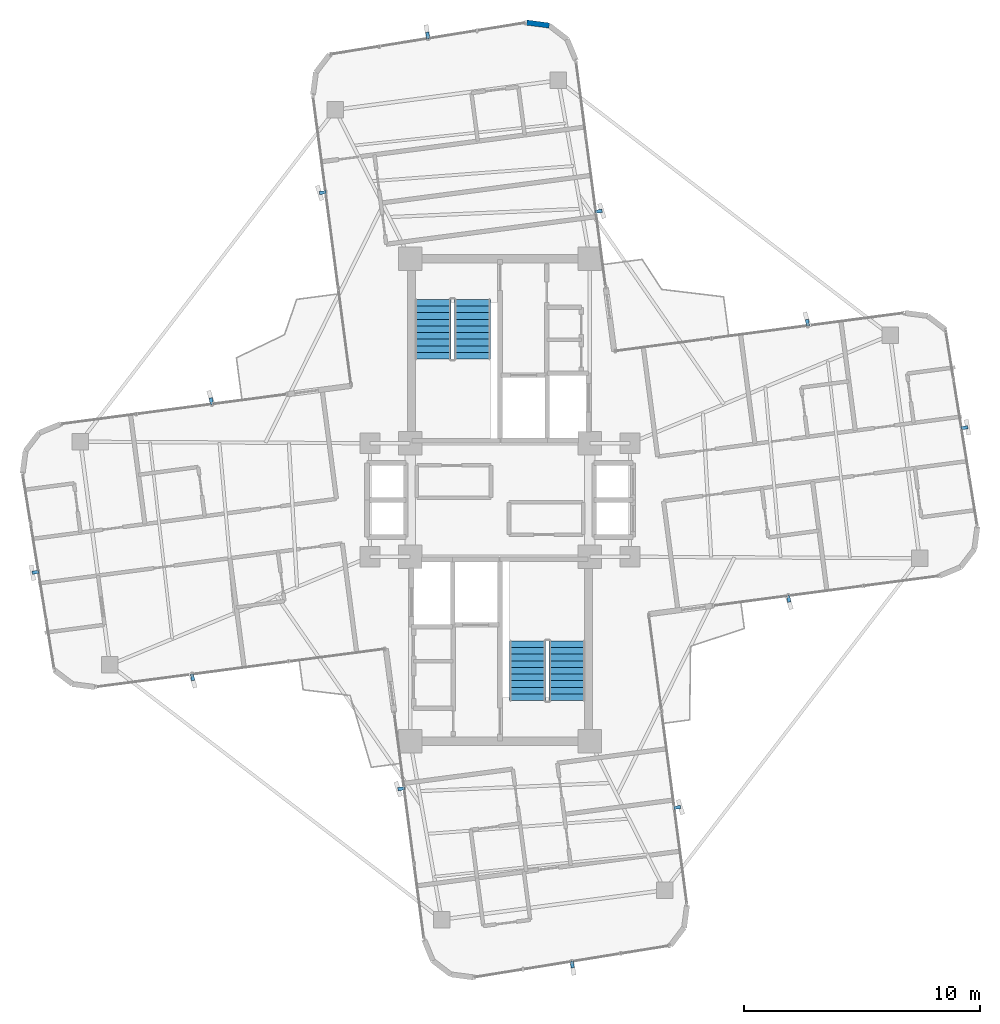
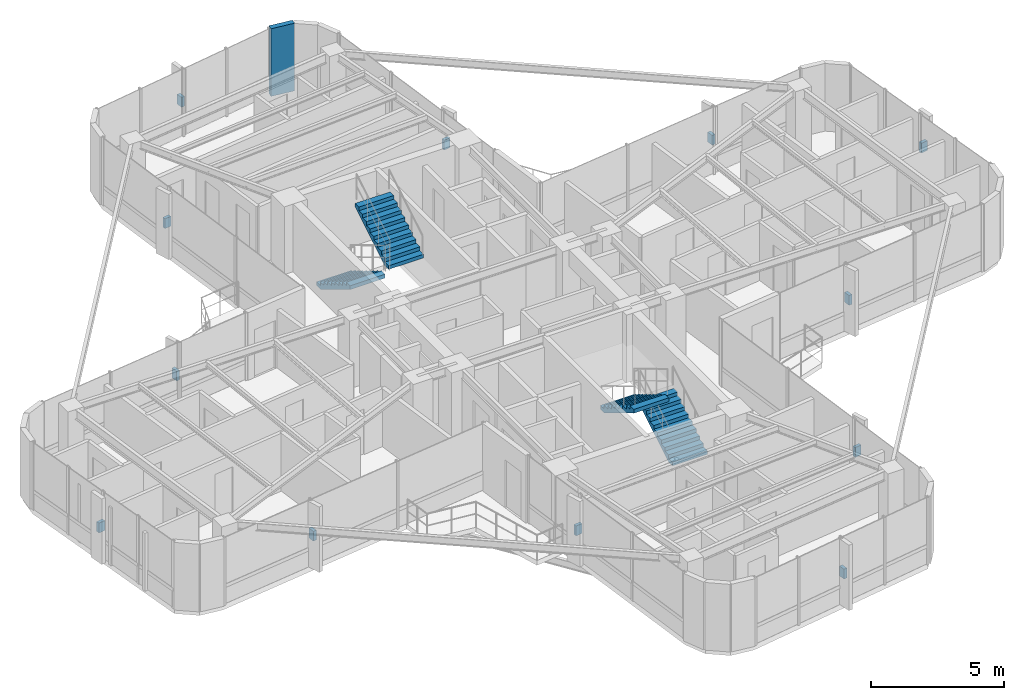
# One storey, part 22 of 23: 12 discrete accessories, 4 stair flights, 1 wall, 2 elements without a shape of their own.
"""IFC4 building model written with IfcOpenShell, lengths in metres."""

from ifc_helpers import new_model, si_unit, direction, frame, frame_2d, origin, origin_2d, place, context, subcontext, project, spatial, polyline, rectangle, outline, extrude, source, transform, mapped, material, layer, layer_set, type_object, element, aggregate, save


model = new_model("IFC4")

# Units and contexts
model_context = context("Model", 3, precision=1e-05, world=origin(), true_north=direction((0.0, 1.0)))
body_context = subcontext(model_context, "Body", "Model", "MODEL_VIEW")
ifc_project = project(units=[si_unit("LENGTHUNIT", "METRE"), si_unit("AREAUNIT", "SQUARE_METRE"), si_unit("VOLUMEUNIT", "CUBIC_METRE"), si_unit("PLANEANGLEUNIT", "RADIAN"), si_unit("MASSUNIT", "GRAM", prefix="KILO")], contexts=[model_context])

# Site, building, storey
site_placement = place(None, origin())
site = spatial("IfcSite", under=ifc_project, at=site_placement, CompositionType="ELEMENT")
building_placement = place(site_placement, origin())
building = spatial("IfcBuilding", under=site, at=building_placement, Name="Sahyath Konkavel Grand Hotel", CompositionType="ELEMENT")
storey_placement = place(building_placement, frame((0.0, 0.0, 251.199951171875)))
storey = spatial("IfcBuildingStorey", under=building, at=storey_placement, Name="L70", CompositionType="ELEMENT", Elevation=251.199951171875)

# Wall
ifc_material_1 = material(Name="Warm Buff Sandstone Insulated Concrete C40/50", Category="masonry")
ifc_layer = layer(ifc_material_1, 0.219970703125)
ifc_layer_set = layer_set([ifc_layer], Name="Warm Buff Sandstone Insulated Concrete C40/50")
wall_type = type_object("IfcWallType", Name="WLL-BALC-THRESH", PredefinedType="STANDARD", material=ifc_layer_set)
wall_placement = place(storey_placement, frame((2.08203125, 20.0625, 0.0), z_axis=(0.0, 0.0, 1.0), x_axis=(-0.991440402921, 0.13056005306, 0.0)))
element("IfcWall", 1, at=wall_placement, inside=storey, type_object=wall_type, Name="L70 Rounded Corner Sandstone Pier 11", PredefinedType="STANDARD", context=body_context, shape_type="SweptSolid", body=[
    extrude(rectangle(XDim=0.95751953125, YDim=0.219970703125, at=frame_2d((0.478759765625, 0.0))), origin(), (0.0, 0.0, 1.0), 3.110107421875),
])

# Stair, stair flights
ifc_material_2 = material(Name="Concrete C40/50", Category="concrete")
stair_type = type_object("IfcStairType", Name="STR-ST16-335", PredefinedType="HALF_TURN_STAIR", material=ifc_material_2)
stair_1_placement = place(storey_placement, origin())
stair_1 = element("IfcStair", 2, at=stair_1_placement, inside=storey, type_object=stair_type, Name="L70 North Core Smokeproof Exit Stair ST-1", PredefinedType="HALF_TURN_STAIR")
stair_flight_type = type_object("IfcStairFlightType", Name="STF-ST16-335", PredefinedType="STRAIGHT", material=ifc_material_2)
stair_flight_1_placement = place(storey_placement, frame((-2.840087890625, 8.47998046875, 0.0), z_axis=(0.0, 0.0, 1.0), x_axis=(0.0, -1.0, 0.0)))
stair_flight_1 = element("IfcStairFlight", 3, at=stair_flight_1_placement, type_object=stair_flight_type, Name="ST-1 flight 1", NumberOfRisers=10, NumberOfTreads=9, PredefinedType="STRAIGHT", RiserHeight=0.1675, TreadLength=0.28, context=body_context, shape_type="SweptSolid", body=[
    extrude(outline(polyline([(0.0, 0.0), (0.0, 0.16748046875), (0.280029296875, 0.16748046875), (0.280029296875, 0.3349609375), (0.56005859375, 0.3349609375), (0.56005859375, 0.50244140625), (0.840087890625, 0.50244140625), (0.840087890625, 0.669921875), (1.1201171875, 0.669921875), (1.1201171875, 0.83740234375), (1.39990234375, 0.83740234375), (1.39990234375, 1.0048828125), (1.679931640625, 1.0048828125), (1.679931640625, 1.172607421875), (1.9599609375, 1.172607421875), (1.9599609375, 1.340087890625), (2.239990234375, 1.340087890625), (2.239990234375, 1.507568359375), (2.52001953125, 1.507568359375), (2.52001953125, 1.675048828125), (2.52001953125, 1.332763671875), (0.2919921875, 0.0), (0.0, 0.0)])), frame((0.0, 0.760009765625, 0.0), z_axis=(0.0, -1.0, 0.0), x_axis=(1.0, 0.0, 0.0)), (0.0, 0.0, 1.0), 1.52001953125),
])
stair_flight_2_placement = place(storey_placement, frame((-1.159912109375, 5.9599609375, 1.675048828125), z_axis=(0.0, 0.0, 1.0), x_axis=(0.0, 1.0, 0.0)))
stair_flight_2 = element("IfcStairFlight", 4, at=stair_flight_2_placement, type_object=stair_flight_type, Name="ST-1 flight 2", NumberOfRisers=10, NumberOfTreads=9, PredefinedType="STRAIGHT", RiserHeight=0.1675, TreadLength=0.28, context=body_context, shape_type="SweptSolid", body=[
    extrude(outline(polyline([(0.0, 0.0), (0.0, 0.16748046875), (0.280029296875, 0.16748046875), (0.280029296875, 0.3349609375), (0.56005859375, 0.3349609375), (0.56005859375, 0.50244140625), (0.840087890625, 0.50244140625), (0.840087890625, 0.669921875), (1.1201171875, 0.669921875), (1.1201171875, 0.83740234375), (1.39990234375, 0.83740234375), (1.39990234375, 1.0048828125), (1.679931640625, 1.0048828125), (1.679931640625, 1.172607421875), (1.9599609375, 1.172607421875), (1.9599609375, 1.340087890625), (2.239990234375, 1.340087890625), (2.239990234375, 1.507568359375), (2.52001953125, 1.507568359375), (2.52001953125, 1.675048828125), (2.52001953125, 1.332763671875), (0.2919921875, 0.0), (0.0, 0.0)])), frame((0.0, 0.760009765625, 0.0), z_axis=(0.0, -1.0, 0.0), x_axis=(1.0, 0.0, 0.0)), (0.0, 0.0, 1.0), 1.52001953125),
])
aggregate(stair_1, [stair_flight_1, stair_flight_2])

stair_2_placement = place(storey_placement, origin())
stair_2 = element("IfcStair", 5, at=stair_2_placement, inside=storey, type_object=stair_type, Name="L70 South Core Smokeproof Exit Stair ST-2", PredefinedType="HALF_TURN_STAIR")
stair_flight_3_placement = place(storey_placement, frame((2.840087890625, -8.47998046875, 0.0), z_axis=(0.0, 0.0, 1.0), x_axis=(0.0, 1.0, 0.0)))
stair_flight_3 = element("IfcStairFlight", 6, at=stair_flight_3_placement, type_object=stair_flight_type, Name="ST-2 flight 1", NumberOfRisers=10, NumberOfTreads=9, PredefinedType="STRAIGHT", RiserHeight=0.1675, TreadLength=0.28, context=body_context, shape_type="SweptSolid", body=[
    extrude(outline(polyline([(0.0, 0.0), (0.0, 0.16748046875), (0.280029296875, 0.16748046875), (0.280029296875, 0.3349609375), (0.56005859375, 0.3349609375), (0.56005859375, 0.50244140625), (0.840087890625, 0.50244140625), (0.840087890625, 0.669921875), (1.1201171875, 0.669921875), (1.1201171875, 0.83740234375), (1.39990234375, 0.83740234375), (1.39990234375, 1.0048828125), (1.679931640625, 1.0048828125), (1.679931640625, 1.172607421875), (1.9599609375, 1.172607421875), (1.9599609375, 1.340087890625), (2.239990234375, 1.340087890625), (2.239990234375, 1.507568359375), (2.52001953125, 1.507568359375), (2.52001953125, 1.675048828125), (2.52001953125, 1.332763671875), (0.2919921875, 0.0), (0.0, 0.0)])), frame((0.0, 0.760009765625, 0.0), z_axis=(0.0, -1.0, 0.0), x_axis=(1.0, 0.0, 0.0)), (0.0, 0.0, 1.0), 1.52001953125),
])
stair_flight_4_placement = place(storey_placement, frame((1.159912109375, -5.9599609375, 1.675048828125), z_axis=(0.0, 0.0, 1.0), x_axis=(0.0, -1.0, 0.0)))
stair_flight_4 = element("IfcStairFlight", 7, at=stair_flight_4_placement, type_object=stair_flight_type, Name="ST-2 flight 2", NumberOfRisers=10, NumberOfTreads=9, PredefinedType="STRAIGHT", RiserHeight=0.1675, TreadLength=0.28, context=body_context, shape_type="SweptSolid", body=[
    extrude(outline(polyline([(0.0, 0.0), (0.0, 0.16748046875), (0.280029296875, 0.16748046875), (0.280029296875, 0.3349609375), (0.56005859375, 0.3349609375), (0.56005859375, 0.50244140625), (0.840087890625, 0.50244140625), (0.840087890625, 0.669921875), (1.1201171875, 0.669921875), (1.1201171875, 0.83740234375), (1.39990234375, 0.83740234375), (1.39990234375, 1.0048828125), (1.679931640625, 1.0048828125), (1.679931640625, 1.172607421875), (1.9599609375, 1.172607421875), (1.9599609375, 1.340087890625), (2.239990234375, 1.340087890625), (2.239990234375, 1.507568359375), (2.52001953125, 1.507568359375), (2.52001953125, 1.675048828125), (2.52001953125, 1.332763671875), (0.2919921875, 0.0), (0.0, 0.0)])), frame((0.0, 0.760009765625, 0.0), z_axis=(0.0, -1.0, 0.0), x_axis=(1.0, 0.0, 0.0)), (0.0, 0.0, 1.0), 1.52001953125),
])
aggregate(stair_2, [stair_flight_3, stair_flight_4])

# Discrete accessories
ifc_material_3 = material(Name="Steel E350", Category="steel")
discrete_accessory_type = type_object("IfcDiscreteAccessoryType", Name="ACC-FIN-BRACKET", PredefinedType="BRACKET", material=ifc_material_3)
shared_shape = source(origin(), body_context, "Body", "SweptSolid", [
    extrude(rectangle(XDim=0.280029296875, YDim=0.139892578125, at=origin_2d()), origin(), (0.0, 0.0, 1.0), 0.449951171875),
])
for number, where, z_axis, x_axis, name in (
    (8, (12.207763671875, -4.180419921875, 1.330078125), (0.0, 0.0, 1.0), (0.13052619222, -0.991444861374, 0.0), "L70 Fin Support Bracket F0-1"),
    (9, (19.64208984375, 3.05615234375, 1.330078125), (0.0, 0.0, 1.0), (0.987183659325, 0.159588291433, 0.0), "L70 Fin Support Bracket F4-2"),
    (10, (12.999755859375, 7.4990234375, 1.330078125), (0.0, 0.0, 1.0), (-0.13052619222, 0.991444861374, 0.0), "L70 Fin Support Bracket F7-1"),
    (11, (4.180419921875, 12.207763671875, 1.330078125), (0.0, 0.0, 1.0), (0.991444861374, 0.13052619222, 0.0), "L70 Fin Support Bracket F8-1"),
    (12, (-3.05615234375, 19.64208984375, 1.330078125), (0.0, 0.0, 1.0), (-0.159588291433, 0.987183659325, 0.0), "L70 Fin Support Bracket F12-2"),
    (13, (-7.4990234375, 12.999755859375, 1.330078125), (0.0, 0.0, 1.0), (-0.991444861374, -0.13052619222, 0.0), "L70 Fin Support Bracket F15-1"),
    (14, (-12.207763671875, 4.180419921875, 1.330078125), (0.0, 0.0, 1.0), (-0.13052619222, 0.991444861374, 0.0), "L70 Fin Support Bracket F16-1"),
    (15, (-19.64208984375, -3.05615234375, 1.330078125), (0.0, 0.0, 1.0), (-0.987183659325, -0.159588291433, 0.0), "L70 Fin Support Bracket F20-2"),
    (16, (-12.999755859375, -7.4990234375, 1.330078125), (0.0, 0.0, 1.0), (0.13052619222, -0.991444861374, 0.0), "L70 Fin Support Bracket F23-1"),
    (17, (-4.180419921875, -12.207763671875, 1.330078125), (0.0, 0.0, 1.0), (-0.991444861374, -0.13052619222, 0.0), "L70 Fin Support Bracket F24-1"),
    (18, (3.05615234375, -19.64208984375, 1.330078125), (0.0, 0.0, 1.0), (0.159588291433, -0.987183659325, 0.0), "L70 Fin Support Bracket F28-2"),
    (19, (7.4990234375, -12.999755859375, 1.330078125), (0.0, 0.0, 1.0), (0.991444861374, 0.13052619222, 0.0), "L70 Fin Support Bracket F31-1"),
):
    element("IfcDiscreteAccessory", number, at=place(storey_placement, frame(where, z_axis=z_axis, x_axis=x_axis)), inside=storey, type_object=discrete_accessory_type, Name=name, PredefinedType="BRACKET", context=body_context, shape_type="MappedRepresentation", body=[
        mapped(shared_shape, transform((0.0, 0.0, 0.0), scale=1.0)),
    ])

save(model, "model.ifc")
